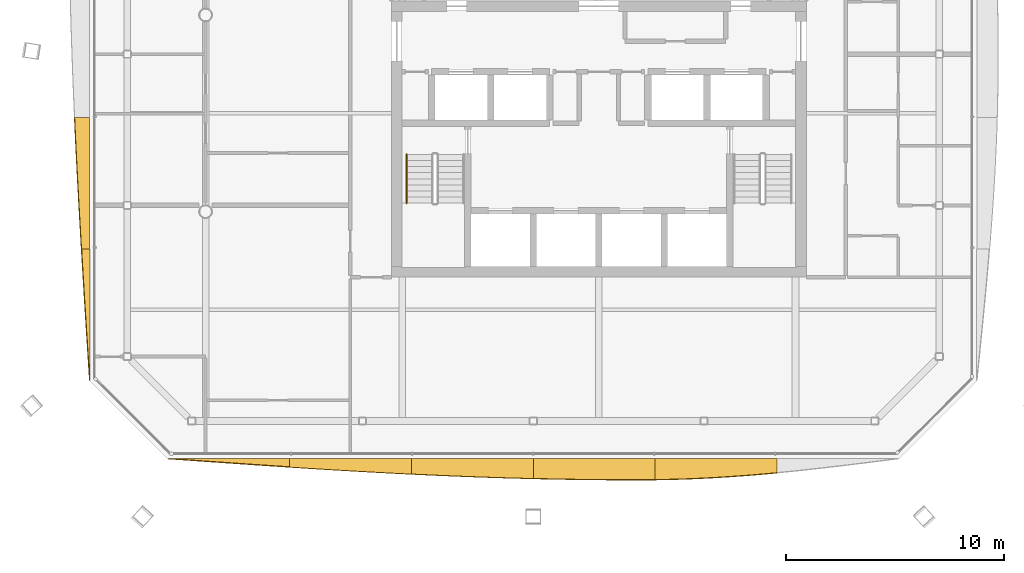
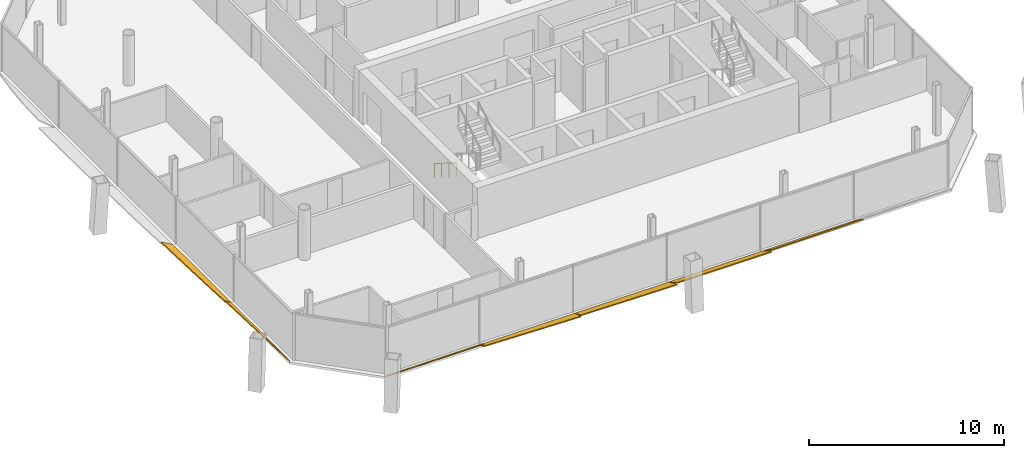
# One storey, part 17 of 20: 7 shading devices, 1 railing.
"""IFC4 building model written with IfcOpenShell, lengths in metres."""

from ifc_helpers import new_model, si_unit, direction, frame, origin, origin_2d, place, context, subcontext, project, spatial, polyline, circle, outline, extrude, material, layer, layer_set, type_object, element, save


model = new_model("IFC4")

# Units and contexts
model_context = context("Model", 3, precision=1e-05, world=origin(), true_north=direction((0.0, 1.0)))
body_context = subcontext(model_context, "Body", "Model", "MODEL_VIEW")
ifc_project = project(units=[si_unit("LENGTHUNIT", "METRE"), si_unit("AREAUNIT", "SQUARE_METRE"), si_unit("VOLUMEUNIT", "CUBIC_METRE"), si_unit("PLANEANGLEUNIT", "RADIAN"), si_unit("MASSUNIT", "GRAM", prefix="KILO")], contexts=[model_context])

# Site, building, storey
site_placement = place(None, origin())
site = spatial("IfcSite", under=ifc_project, at=site_placement, CompositionType="ELEMENT")
building_placement = place(site_placement, origin())
building = spatial("IfcBuilding", under=site, at=building_placement, Name="Tskaro Facet Tower", CompositionType="ELEMENT")
storey_placement = place(building_placement, frame((0.0, 0.0, 194.25)))
storey = spatial("IfcBuildingStorey", under=building, at=storey_placement, Name="L49", CompositionType="ELEMENT", Elevation=194.25)

# Shading devices
ifc_material_1 = material(Name="Bronze anodised aluminium 6063-T6", Category="aluminium")
ifc_layer = layer(ifc_material_1, 0.06005859375, Name="Bronze anodised aluminium 6063-T6")
ifc_layer_set = layer_set([ifc_layer], Name="Bronze anodised aluminium 6063-T6")
shading_device_type = type_object("IfcShadingDeviceType", Name="Bronze sun blade (FN1)", PredefinedType="USERDEFINED", material=ifc_layer_set)
shading_device_1_placement = place(storey_placement, frame((-19.721923828125, -20.29150390625, 0.0458984375), z_axis=(1.5089659e-05, 0.643090509746, 0.76579017756), x_axis=(0.999999999886, -9.704017e-06, -1.1555513e-05)))
element("IfcShadingDevice", 1, at=shading_device_1_placement, inside=storey, type_object=shading_device_type, Name="Fin blade south 1", ObjectType="FIN", PredefinedType="USERDEFINED", context=body_context, shape_type="SweptSolid", body=[
    extrude(outline(polyline([(0.0, 0.0), (5.57397460874041, 0.0), (5.57397460999535, -0.5004599294060913), (4.87719726621833, -0.44084860780902435), (4.180419921428241, -0.38001843068460267), (3.4836425779942286, -0.3181563585254158), (2.7868652330951225, -0.25541939585046247), (2.090087891469212, -0.19218146364492195), (1.3933105479261816, -0.12841260593520343), (0.6967773402698344, -0.06426982724030567), (0.0, 0.0)])), origin(), (0.0, 0.0, -1.0), 0.06005859375),
])
shading_device_2_placement = place(storey_placement, frame((-14.14794921875, -20.3095703125, 0.056396484375), z_axis=(-1.4355183e-05, 0.342025002883, 0.939690851928), x_axis=(0.999999999897, 4.909831e-06, 1.3489434e-05)))
element("IfcShadingDevice", 2, at=shading_device_2_placement, inside=storey, type_object=shading_device_type, Name="Fin blade south 2", ObjectType="FIN", PredefinedType="USERDEFINED", context=body_context, shape_type="SweptSolid", body=[
    extrude(outline(polyline([(0.0, 0.0), (5.5739746088006825, 0.0), (5.573974609765473, -0.7493151050544897), (4.877197265048569, -0.7123958176669783), (4.180419922135853, -0.6737036089000704), (3.4836425789326952, -0.6329255598438676), (2.7868652351363457, -0.5908334228321082), (2.090087888652176, -0.5471142789548941), (1.3935546866917978, -0.5019351326081813), (0.6967773435132538, -0.45544189830591225), (-1.4571704537688565e-09, -0.40786399276000657), (0.0, 0.0)])), origin(), (0.0, 0.0, -1.0), 0.06005859375),
])
shading_device_3_placement = place(storey_placement, frame((-8.573974609375, -20.3046875, 0.054443359375), z_axis=(-8.816204e-06, 0.422606082221, 0.906313466297), x_axis=(0.999999999961, 3.725781e-06, 7.990244e-06)))
element("IfcShadingDevice", 3, at=shading_device_3_placement, inside=storey, type_object=shading_device_type, Name="Fin blade south 3", ObjectType="FIN", PredefinedType="USERDEFINED", context=body_context, shape_type="SweptSolid", body=[
    extrude(outline(polyline([(0.0, 0.0), (5.57397460915838, -2.360670070649772e-21), (5.573974609548044, -1.0045300031653805), (4.877197265770204, -0.9843237720000338), (4.180419921466307, -0.9619346960935712), (3.4836425784555844, -0.9369202395737598), (2.7868652338776765, -0.9093984950636699), (2.0903320313494462, -0.8797970811255101), (1.39355468662904, -0.847688379197072), (0.696777344242936, -0.8132787399044475), (-4.884535055933041e-10, -0.7771287917429399), (0.0, 0.0)])), origin(), (0.0, 0.0, -1.0), 0.06005859375),
])
shading_device_4_placement = place(storey_placement, frame((-3.0, -20.300048828125, 0.052001953125), z_axis=(3.696799e-06, 0.500027501315, 0.866009525303), x_axis=(0.999999999993, -1.848501e-06, -3.201463e-06)))
element("IfcShadingDevice", 4, at=shading_device_4_placement, inside=storey, type_object=shading_device_type, Name="Fin blade south 4", ObjectType="FIN", PredefinedType="USERDEFINED", context=body_context, shape_type="SweptSolid", body=[
    extrude(outline(polyline([(0.0, 0.0), (5.573974609336912, 0.0), (5.573974609554361, -1.1138101477054847), (4.877197265455721, -1.1195036341610496), (4.8159179685811395, -1.1195036341610496), (4.180419922250127, -1.118291690653923), (3.483642577988332, -1.1141436528389386), (2.787109374979531, -1.1073602999029366), (2.0903320310711386, -1.0975187756323872), (1.3935546873394467, -1.0848305081340555), (0.696777343784456, -1.0692954974079414), (7.585335876755753e-11, -1.0512472485874986), (0.0, 0.0)])), origin(), (0.0, 0.0, -1.0), 0.06005859375),
])
shading_device_5_placement = place(storey_placement, frame((2.573974609375, -20.295654296875, 0.049072265625), z_axis=(-4.962876e-06, 0.573649861809, 0.81910062631), x_axis=(0.999999999988, 2.846953e-06, 4.065095e-06)))
element("IfcShadingDevice", 5, at=shading_device_5_placement, inside=storey, type_object=shading_device_type, Name="Fin blade south 5", ObjectType="FIN", PredefinedType="USERDEFINED", context=body_context, shape_type="SweptSolid", body=[
    extrude(outline(polyline([(0.0, 0.0), (5.573974609306356, 0.0), (5.573974609595377, -0.7940709742837456), (4.877197265468534, -0.8712139643241952), (4.180419921846383, -0.9409766898849372), (3.483886719056522, -1.003019123991329), (2.787109374261707, -1.0565211614582903), (2.0903320311645612, -1.1010229263050726), (1.3935546877801737, -1.1362443160600864), (0.6967773438111472, -1.1618453037486887), (-4.7461145658014105e-11, -1.177625913632032), (0.0, 0.0)])), origin(), (0.0, 0.0, -1.0), 0.06005859375),
])
shading_device_6_placement = place(storey_placement, frame((-23.300048828125, -4.68359375, 0.052001953125), z_axis=(0.5000163299, 9.67282e-06, 0.866015975453), x_axis=(4.836568e-06, -0.999999999953, 8.376816e-06)))
element("IfcShadingDevice", 6, at=shading_device_6_placement, inside=storey, type_object=shading_device_type, Name="Fin blade west 4", ObjectType="FIN", PredefinedType="USERDEFINED", context=body_context, shape_type="SweptSolid", body=[
    extrude(outline(polyline([(0.0, 0.0), (6.0192871090934075, 0.0), (6.019287110352427, -0.43140109330012666), (5.350341797106441, -0.4764606778782298), (4.681640625118412, -0.5204303951316698), (4.012695311957559, -0.5635216747419632), (3.3439941400546647, -0.6055230870275936), (2.6752929687847375, -0.6464346319885607), (2.0063476566584715, -0.6859228056440497), (1.3376464837450421, -0.7241990376755778), (0.6687011711560763, -0.760840468720111), (-1.7493257538072428e-10, -0.7963920324399811), (0.0, 0.0)])), origin(), (0.0, 0.0, -1.0), 0.06005859375),
])
shading_device_7_placement = place(storey_placement, frame((-23.295654296875, -10.702880859375, 0.049072265625), z_axis=(0.574053106249, 2.2048726e-05, 0.818818069366), x_axis=(1.265714e-05, -0.999999999757, 1.8053895e-05)))
element("IfcShadingDevice", 7, at=shading_device_7_placement, inside=storey, type_object=shading_device_type, Name="Fin blade west 5", ObjectType="FIN", PredefinedType="USERDEFINED", context=body_context, shape_type="SweptSolid", body=[
    extrude(outline(polyline([(0.0, 0.0), (6.019042967286932, 0.0), (5.350341800039031, -0.052022186569836155), (4.681640628383439, -0.10390422345549541), (4.012695311695219, -0.15564611065697775), (3.3439941418121824, -0.20698818434793048), (2.6750488268965165, -0.25819010835470624), (2.0063476530607782, -0.30851201272733386), (1.3374023416902214, -0.3586340103446966), (0.6687011669919036, -0.40773583864373425), (-2.8437376583224184e-09, -0.4560977969928005), (0.0, 0.0)])), origin(), (0.0, 0.0, -1.0), 0.06005859375),
])

# Railing
ifc_material_2 = material(Name="Stainless steel", Category="steel")
railing_type = type_object("IfcRailingType", Name="RL-HANDRAIL-900", PredefinedType="HANDRAIL", material=ifc_material_2)
railing_placement = place(storey_placement, frame((-8.800048828125, -6.375, 0.175048828125)))
element("IfcRailing", 8, at=railing_placement, inside=storey, type_object=railing_type, Name="L49 ST-1 stair handrail 1", PredefinedType="HANDRAIL", context=body_context, shape_type="SweptSolid", body=[
    extrude(circle(Radius=0.02392578125, at=origin_2d()), frame((0.0, 0.0, 0.8759765625), z_axis=(0.0, -0.848013881152, 0.529974015752), x_axis=(1.0, 0.0, 0.0)), (0.0, 0.0, 1.0), 2.641357421875),
    extrude(circle(Radius=0.02099609375, at=origin_2d()), origin(), (0.0, 0.0, 1.0), 0.851806640625),
    extrude(circle(Radius=0.02099609375, at=origin_2d()), frame((0.0, -0.74658203125, 0.466552734375)), (0.0, 0.0, 1.0), 0.851806640625),
    extrude(circle(Radius=0.02099609375, at=origin_2d()), frame((0.0, -1.493408203125, 0.933349609375)), (0.0, 0.0, 1.0), 0.851806640625),
    extrude(circle(Radius=0.02099609375, at=origin_2d()), frame((0.0, -2.239990234375, 1.39990234375)), (0.0, 0.0, 1.0), 0.851806640625),
])

save(model, "model.ifc")
